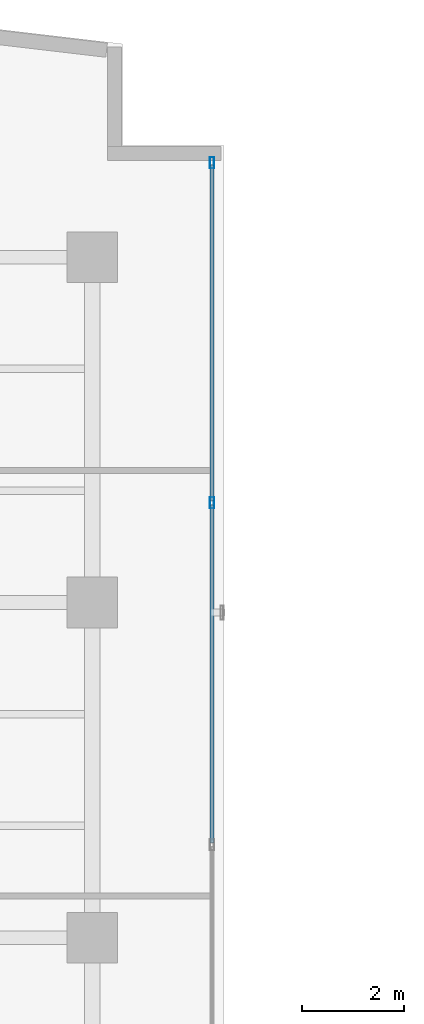
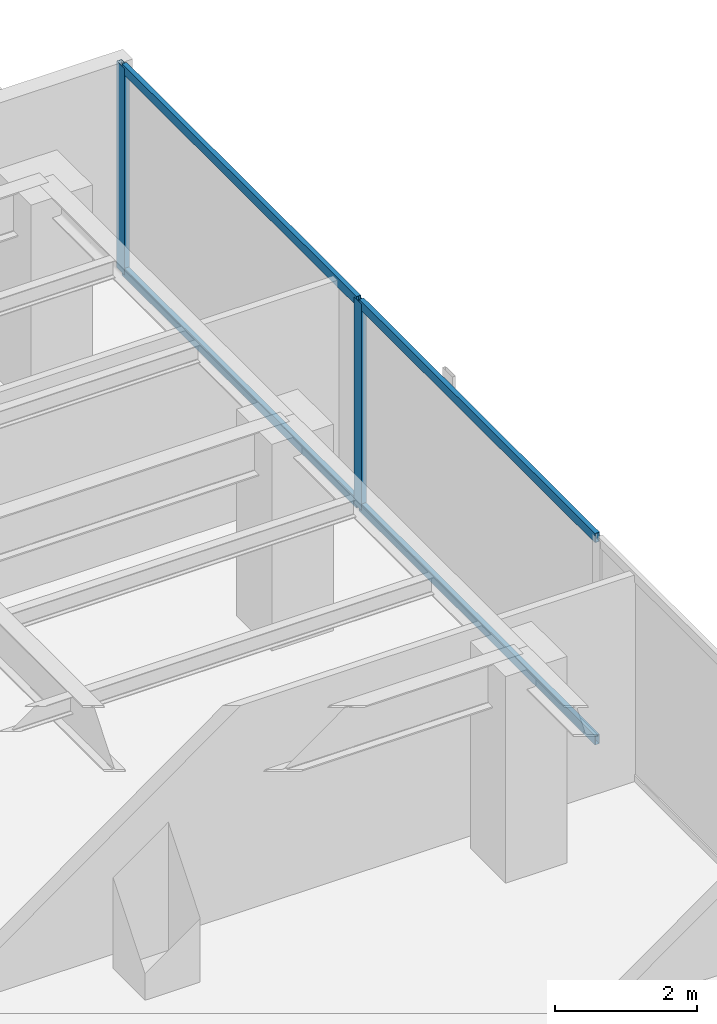
# One storey, part 15 of 23: 6 members, 1 element without a shape of its own.
"""IFC4 building model written with IfcOpenShell, lengths in metres."""

from ifc_helpers import new_model, si_unit, direction, frame, origin, origin_with_axes, origin_2d, place, context, subcontext, project, spatial, hollow_rectangle, extrude, source, transform, mapped, material, layer, layer_set, material_profile, profile_set, type_object, element, aggregate, save


model = new_model("IFC4")

# Units and contexts
model_context = context("Model", 3, precision=1e-05, world=origin(), true_north=direction((0.0, 1.0)))
body_context = subcontext(model_context, "Body", "Model", "MODEL_VIEW")
ifc_project = project(units=[si_unit("LENGTHUNIT", "METRE"), si_unit("AREAUNIT", "SQUARE_METRE"), si_unit("VOLUMEUNIT", "CUBIC_METRE"), si_unit("PLANEANGLEUNIT", "RADIAN"), si_unit("MASSUNIT", "GRAM", prefix="KILO")], contexts=[model_context])

# Site, building, storey
site_placement = place(None, origin())
site = spatial("IfcSite", under=ifc_project, at=site_placement, CompositionType="ELEMENT")
building_placement = place(site_placement, origin())
building = spatial("IfcBuilding", under=site, at=building_placement, Name="Kolvaren Waterfront Exchange", CompositionType="ELEMENT")
storey_placement = place(building_placement, frame((0.0, 0.0, 250.10009765625)))
storey = spatial("IfcBuildingStorey", under=building, at=storey_placement, Name="L64", CompositionType="ELEMENT", Elevation=250.10009765625)

# Curtain wall, members
ifc_material_1 = material(Name="Anodised bronze aluminium 6063-T6", Category="aluminium")
ifc_layer = layer(ifc_material_1, 0.219970703125, Name="Anodised bronze aluminium 6063-T6")
ifc_layer_set = layer_set([ifc_layer], Name="Anodised bronze aluminium 6063-T6")
curtain_wall_type = type_object("IfcCurtainWallType", Name="ARC-CW-SYS1", PredefinedType="USERDEFINED", material=ifc_layer_set)
curtain_wall_placement = place(storey_placement, origin())
curtain_wall = element("IfcCurtainWall", 1, at=curtain_wall_placement, inside=storey, type_object=curtain_wall_type, Name="L64 stick curtain wall CW1 (CW-L64-NE)", ObjectType="STICK CURTAIN WALL", PredefinedType="USERDEFINED")
ifc_material_2 = material(Name="Anodised aluminium 6063-T6", Category="aluminium")
ifc_material_profile_1 = material_profile(ifc_material_2, hollow_rectangle(XDim=0.080078125, YDim=0.219970703125, WallThickness=0.0048828125, at=origin_2d()), Name="ALU-MUL-220x80x5")
ifc_profile_set_1 = profile_set([ifc_material_profile_1], Name="Anodised aluminium 6063-T6")
member_type_1 = type_object("IfcMemberType", Name="ARC-CWM-220", PredefinedType="MULLION", material=ifc_profile_set_1)
shared_shape_1 = source(origin_with_axes(), body_context, "Body", "SweptSolid", [
    extrude(hollow_rectangle(XDim=0.080078125, YDim=0.219970703125, WallThickness=0.0048828125, at=origin_2d()), origin(), (0.0, 0.0, 1.0), 3.559814453125),
])
member_1_placement = place(storey_placement, frame((21.159912109375, 39.763427734375, 0.0), z_axis=(0.0, 0.0, 1.0), x_axis=(-1.0, 0.0, 0.0)))
member_1 = element("IfcMember", 2, at=member_1_placement, type_object=member_type_1, Name="CW1 mullion 3", PredefinedType="MULLION", context=body_context, shape_type="MappedRepresentation", body=[
    mapped(shared_shape_1, transform((0.0, 0.0, 0.0), x_axis=(1.0, 0.0, 0.0), y_axis=(0.0, 1.0, 0.0), z_axis=(0.0, 0.0, 1.0), scale=1.0)),
])
member_2_placement = place(storey_placement, frame((21.159912109375, 46.4599609375, 0.0), z_axis=(0.0, 0.0, 1.0), x_axis=(-1.0, 0.0, 0.0)))
member_2 = element("IfcMember", 3, at=member_2_placement, type_object=member_type_1, Name="CW1 mullion 4", PredefinedType="MULLION", context=body_context, shape_type="MappedRepresentation", body=[
    mapped(shared_shape_1, transform((0.0, 0.0, 0.0), x_axis=(1.0, 0.0, 0.0), y_axis=(0.0, 1.0, 0.0), z_axis=(0.0, 0.0, 1.0), scale=1.0)),
])
ifc_material_profile_2 = material_profile(ifc_material_2, hollow_rectangle(XDim=0.074951171875, YDim=0.159912109375, WallThickness=0.00439453125, at=origin_2d()), Name="ALU-TRN-160x75x4.5")
ifc_profile_set_2 = profile_set([ifc_material_profile_2], Name="Anodised aluminium 6063-T6")
member_type_2 = type_object("IfcMemberType", Name="ARC-CWT-160", PredefinedType="USERDEFINED", material=ifc_profile_set_2)
shared_shape_2 = source(origin_with_axes(), body_context, "Body", "SweptSolid", [
    extrude(hollow_rectangle(XDim=0.074951171875, YDim=0.159912109375, WallThickness=0.00439453125, at=origin_2d()), origin(), (0.0, 0.0, 1.0), 6.65673828125),
])
member_3_placement = place(storey_placement, frame((21.159912109375, 33.066650390625, 0.037353515625), z_axis=(0.0, 1.0, 0.0), x_axis=(-1.0, 0.0, 0.0)))
member_3 = element("IfcMember", 4, at=member_3_placement, type_object=member_type_2, Name="CW1 transom 2.1", ObjectType="TRANSOM", PredefinedType="USERDEFINED", context=body_context, shape_type="MappedRepresentation", body=[
    mapped(shared_shape_2, transform((0.0, 0.0, 0.0), x_axis=(1.0, 0.0, 0.0), y_axis=(0.0, 1.0, 0.0), z_axis=(0.0, 0.0, 1.0), scale=1.0)),
])
member_4_placement = place(storey_placement, frame((21.159912109375, 33.066650390625, 3.5224609375), z_axis=(0.0, 1.0, 0.0), x_axis=(-1.0, 0.0, 0.0)))
member_4 = element("IfcMember", 5, at=member_4_placement, type_object=member_type_2, Name="CW1 transom 2.2", ObjectType="TRANSOM", PredefinedType="USERDEFINED", context=body_context, shape_type="MappedRepresentation", body=[
    mapped(shared_shape_2, transform((0.0, 0.0, 0.0), x_axis=(1.0, 0.0, 0.0), y_axis=(0.0, 1.0, 0.0), z_axis=(0.0, 0.0, 1.0), scale=1.0)),
])
shared_shape_3 = source(origin_with_axes(), body_context, "Body", "SweptSolid", [
    extrude(hollow_rectangle(XDim=0.074951171875, YDim=0.159912109375, WallThickness=0.00439453125, at=origin_2d()), origin(), (0.0, 0.0, 1.0), 6.61669921875),
])
member_5_placement = place(storey_placement, frame((21.159912109375, 39.80322265625, 0.037353515625), z_axis=(0.0, 1.0, 0.0), x_axis=(-1.0, 0.0, 0.0)))
member_5 = element("IfcMember", 6, at=member_5_placement, type_object=member_type_2, Name="CW1 transom 3.1", ObjectType="TRANSOM", PredefinedType="USERDEFINED", context=body_context, shape_type="MappedRepresentation", body=[
    mapped(shared_shape_3, transform((0.0, 0.0, 0.0), x_axis=(1.0, 0.0, 0.0), y_axis=(0.0, 1.0, 0.0), z_axis=(0.0, 0.0, 1.0), scale=1.0)),
])
member_6_placement = place(storey_placement, frame((21.159912109375, 39.80322265625, 3.5224609375), z_axis=(0.0, 1.0, 0.0), x_axis=(-1.0, 0.0, 0.0)))
member_6 = element("IfcMember", 7, at=member_6_placement, type_object=member_type_2, Name="CW1 transom 3.2", ObjectType="TRANSOM", PredefinedType="USERDEFINED", context=body_context, shape_type="MappedRepresentation", body=[
    mapped(shared_shape_3, transform((0.0, 0.0, 0.0), x_axis=(1.0, 0.0, 0.0), y_axis=(0.0, 1.0, 0.0), z_axis=(0.0, 0.0, 1.0), scale=1.0)),
])
aggregate(curtain_wall, [member_1, member_2, member_3, member_4, member_5, member_6])

save(model, "model.ifc")
